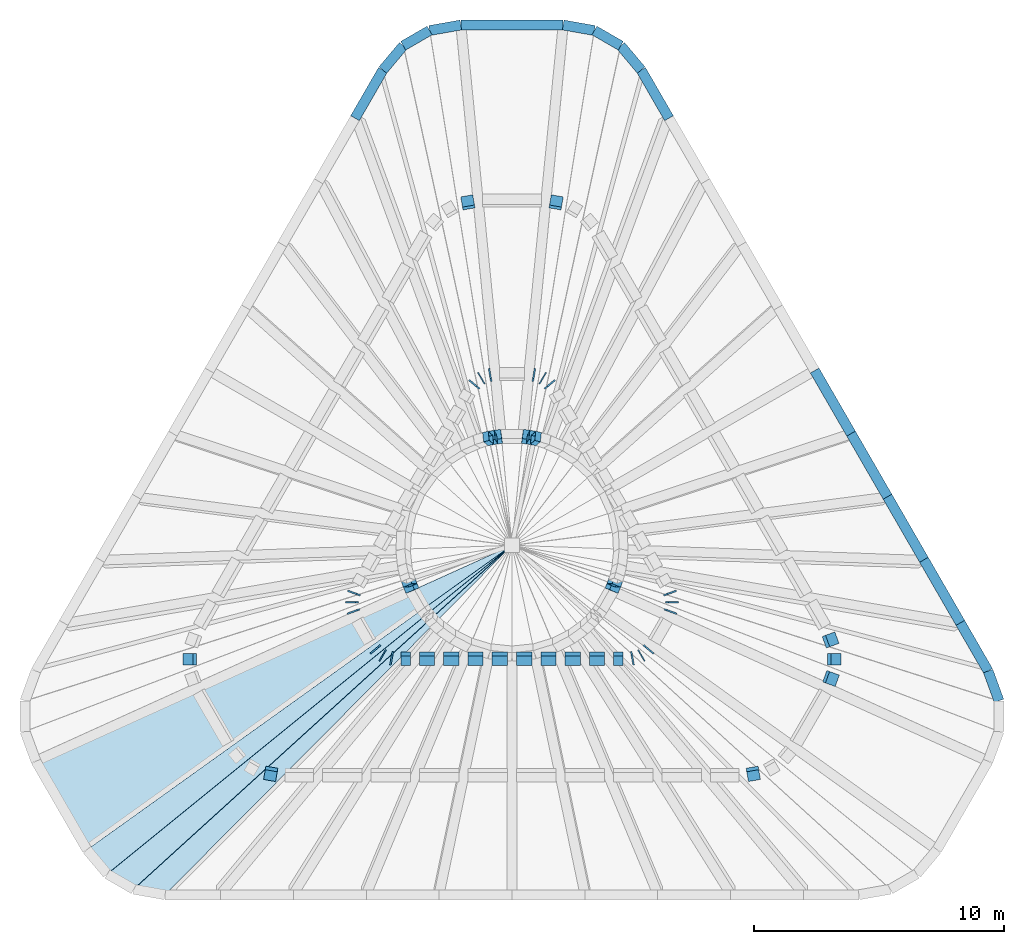
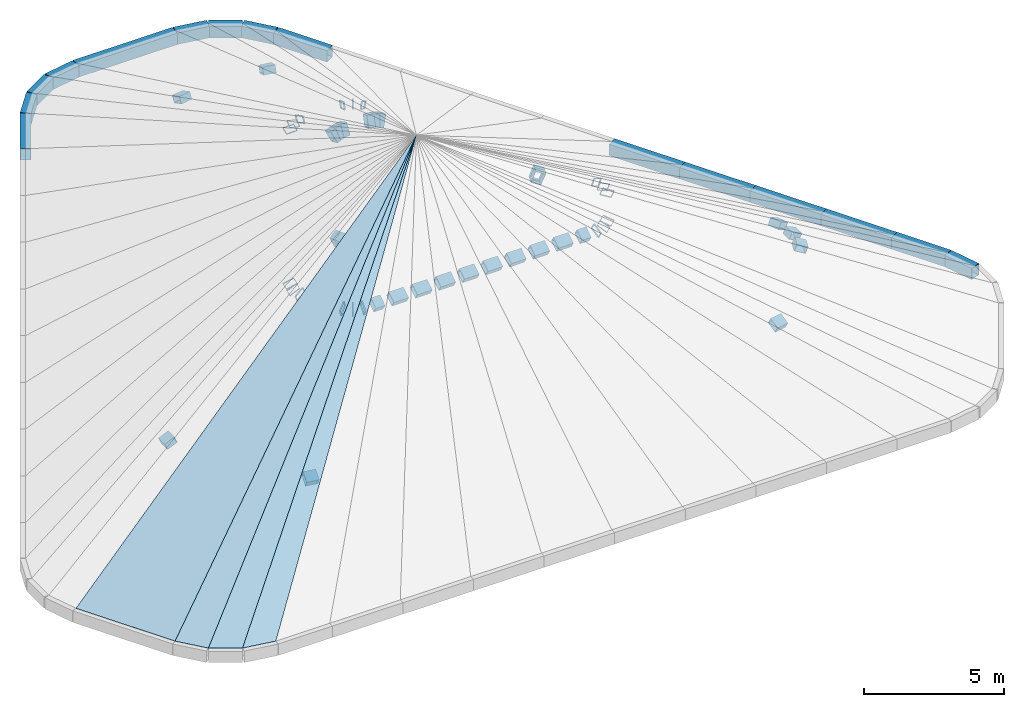
# One storey, part 4 of 5: 61 members, 4 plates.
"""IFC4 building model written with IfcOpenShell, lengths in metres."""

from ifc_helpers import new_model, si_unit, direction, frame, origin, origin_2d, place, context, subcontext, project, spatial, polyline, hollow_rectangle, outline, extrude, material, layer, layer_set, material_profile, profile_set, type_object, element, save


model = new_model("IFC4")

# Units and contexts
model_context = context("Model", 3, precision=1e-05, world=origin(), true_north=direction((0.0, 1.0)))
body_context = subcontext(model_context, "Body", "Model", "MODEL_VIEW")
ifc_project = project(units=[si_unit("LENGTHUNIT", "METRE"), si_unit("AREAUNIT", "SQUARE_METRE"), si_unit("VOLUMEUNIT", "CUBIC_METRE"), si_unit("PLANEANGLEUNIT", "RADIAN"), si_unit("MASSUNIT", "GRAM", prefix="KILO")], contexts=[model_context])

# Site, building, storey
site_placement = place(None, origin())
site = spatial("IfcSite", under=ifc_project, at=site_placement, CompositionType="ELEMENT")
building_placement = place(site_placement, origin())
building = spatial("IfcBuilding", under=site, at=building_placement, Name="Apuvela Tower Hotel", CompositionType="ELEMENT")
storey_placement = place(building_placement, frame((0.0, 0.0, 371.300048828125)))
storey = spatial("IfcBuildingStorey", under=building, at=storey_placement, Name="R-7 ROOF", CompositionType="ELEMENT", Elevation=371.300048828125)

# Members
ifc_material_1 = material(Name="Steel S355, dark grey paint system", Category="steel")
ifc_material_profile_1 = material_profile(ifc_material_1, hollow_rectangle(XDim=0.449951171875, YDim=0.300048828125, WallThickness=0.013916015625, at=origin_2d()), Name="HSS 450x300x14")
ifc_profile_set_1 = profile_set([ifc_material_profile_1], Name="Steel S355, dark grey paint system")
member_type_1 = type_object("IfcMemberType", Name="ENV-CROWN-PURLIN-450x300", PredefinedType="PURLIN", material=ifc_profile_set_1)
for number, where, z_axis, x_axis, name in (
    (1, (2.00390625, 13.670166015625, 2.960205078125), (-0.984829096706, 0.173527088031, 0.0), (-0.160002829347, -0.908074028583, 0.387040893465), "Crown frame purlin 1.2"),
    (2, (-1.52587890625, 13.75439453125, 2.960205078125), (-0.984829096706, -0.173527088031, 0.0), (0.160002829347, -0.908074028583, 0.387040893465), "Crown frame purlin 1.4"),
):
    element("IfcMember", number, at=place(storey_placement, frame(where, z_axis=z_axis, x_axis=x_axis)), inside=storey, type_object=member_type_1, Name=name, PredefinedType="PURLIN", context=body_context, shape_type="SweptSolid", body=[
        extrude(hollow_rectangle(XDim=0.449951171875, YDim=0.300048828125, WallThickness=0.013916015625, at=origin_2d()), origin(), (0.0, 0.0, 1.0), 0.4853515625),
    ])
member_1_placement = place(storey_placement, frame((-12.89208984375, -4.326904296875, 2.963134765625), z_axis=(0.0, -1.0, 0.0), x_axis=(0.91216518405, 0.0, 0.409822738519)))
element("IfcMember", 3, at=member_1_placement, inside=storey, type_object=member_type_1, Name="Crown frame purlin 1.18", PredefinedType="PURLIN", context=body_context, shape_type="SweptSolid", body=[
    extrude(hollow_rectangle(XDim=0.449951171875, YDim=0.300048828125, WallThickness=0.013916015625, at=origin_2d()), origin(), (0.0, 0.0, 1.0), 0.453125),
])
for number, where, z_axis, x_axis, name in (
    (4, (-9.8876953125, -9.0986328125, 2.972900390625), (0.98484423093, -0.1734411739, 0.0), (0.152547119745, 0.866202340811, 0.475839133564), "Crown frame purlin 1.23"),
    (5, (9.409423828125, -9.182861328125, 2.972900390625), (0.98484423093, 0.1734411739, 0.0), (-0.152547119745, 0.866202340811, 0.475839133564), "Crown frame purlin 1.34"),
    (6, (12.674560546875, -5.555908203125, 2.960205078125), (0.341904541509, 0.939734688354, 0.0), (-0.86649416341, 0.315257373525, 0.387040893465), "Crown frame purlin 1.38"),
):
    element("IfcMember", number, at=place(storey_placement, frame(where, z_axis=z_axis, x_axis=x_axis)), inside=storey, type_object=member_type_1, Name=name, PredefinedType="PURLIN", context=body_context, shape_type="SweptSolid", body=[
        extrude(hollow_rectangle(XDim=0.449951171875, YDim=0.300048828125, WallThickness=0.013916015625, at=origin_2d()), origin(), (0.0, 0.0, 1.0), 0.485595703125),
    ])
member_2_placement = place(storey_placement, frame((12.89208984375, -4.780029296875, 2.963134765625), z_axis=(0.0, 1.0, 0.0), x_axis=(-0.91216518405, 0.0, 0.409822738519)))
element("IfcMember", 7, at=member_2_placement, inside=storey, type_object=member_type_1, Name="Crown frame purlin 1.39", PredefinedType="PURLIN", context=body_context, shape_type="SweptSolid", body=[
    extrude(hollow_rectangle(XDim=0.449951171875, YDim=0.300048828125, WallThickness=0.013916015625, at=origin_2d()), origin(), (0.0, 0.0, 1.0), 0.453125),
])
member_3_placement = place(storey_placement, frame((12.823486328125, -4.013671875, 2.972900390625), z_axis=(-0.341904541509, 0.939734688354, 0.0), x_axis=(-0.826527039738, -0.300716097925, 0.475839133564)))
element("IfcMember", 8, at=member_3_placement, inside=storey, type_object=member_type_1, Name="Crown frame purlin 1.40", PredefinedType="PURLIN", context=body_context, shape_type="SweptSolid", body=[
    extrude(hollow_rectangle(XDim=0.449951171875, YDim=0.300048828125, WallThickness=0.013916015625, at=origin_2d()), origin(), (0.0, 0.0, 1.0), 0.485595703125),
])
member_4_placement = place(storey_placement, frame((1.24853515625, 6.669677734375, 5.8798828125), z_axis=(-0.865305848027, 0.501244241235, 0.0), x_axis=(-0.45721754556, -0.789301868125, 0.409822738519)))
element("IfcMember", 9, at=member_4_placement, inside=storey, type_object=member_type_1, Name="Crown frame purlin 2.1", PredefinedType="PURLIN", context=body_context, shape_type="SweptSolid", body=[
    extrude(hollow_rectangle(XDim=0.449951171875, YDim=0.300048828125, WallThickness=0.013916015625, at=origin_2d()), origin(), (0.0, 0.0, 1.0), 0.04638671875),
])
for number, where, z_axis, x_axis, name in (
    (10, (0.906005859375, 6.80810546875, 5.876953125), (-0.985325422959, 0.170686293741, 0.0), (-0.157383439319, -0.908531672433, 0.387040893465), "Crown frame purlin 2.2"),
    (11, (-0.843994140625, 6.81884765625, 5.876953125), (-0.985325422959, -0.170686293741, 0.0), (0.157383439319, -0.908531672433, 0.387040893465), "Crown frame purlin 2.4"),
):
    element("IfcMember", number, at=place(storey_placement, frame(where, z_axis=z_axis, x_axis=x_axis)), inside=storey, type_object=member_type_1, Name=name, PredefinedType="PURLIN", context=body_context, shape_type="SweptSolid", body=[
        extrude(hollow_rectangle(XDim=0.449951171875, YDim=0.300048828125, WallThickness=0.013916015625, at=origin_2d()), origin(), (0.0, 0.0, 1.0), 0.06298828125),
    ])
member_5_placement = place(storey_placement, frame((-1.20849609375, 6.69287109375, 5.8798828125), z_axis=(-0.865305848027, -0.501244241235, 0.0), x_axis=(0.45721754556, -0.789301868125, 0.409822738519)))
element("IfcMember", 12, at=member_5_placement, inside=storey, type_object=member_type_1, Name="Crown frame purlin 2.5", PredefinedType="PURLIN", context=body_context, shape_type="SweptSolid", body=[
    extrude(hollow_rectangle(XDim=0.449951171875, YDim=0.300048828125, WallThickness=0.013916015625, at=origin_2d()), origin(), (0.0, 0.0, 1.0), 0.04638671875),
])
member_6_placement = place(storey_placement, frame((-1.485595703125, 6.45361328125, 5.889404296875), z_axis=(-0.642096261797, -0.76662402166, 0.0), x_axis=(0.674270611767, -0.564744421023, 0.475839133564)))
element("IfcMember", 13, at=member_6_placement, inside=storey, type_object=member_type_1, Name="Crown frame purlin 2.6", PredefinedType="PURLIN", context=body_context, shape_type="SweptSolid", body=[
    extrude(hollow_rectangle(XDim=0.449951171875, YDim=0.300048828125, WallThickness=0.013916015625, at=origin_2d()), origin(), (0.0, 0.0, 1.0), 0.062744140625),
])
member_7_placement = place(storey_placement, frame((-6.310302734375, -1.881103515625, 5.889404296875), z_axis=(-0.341743063087, -0.939793423488, 0.0), x_axis=(0.826578699188, -0.300574072432, 0.475839133564)))
element("IfcMember", 14, at=member_7_placement, inside=storey, type_object=member_type_1, Name="Crown frame purlin 2.17", PredefinedType="PURLIN", context=body_context, shape_type="SweptSolid", body=[
    extrude(hollow_rectangle(XDim=0.449951171875, YDim=0.300048828125, WallThickness=0.013916015625, at=origin_2d()), origin(), (0.0, 0.0, 1.0), 0.06298828125),
])
member_8_placement = place(storey_placement, frame((-6.400390625, -2.25341796875, 5.8798828125), z_axis=(0.0, -1.0, 0.0), x_axis=(0.91216518405, 0.0, 0.409822738519)))
element("IfcMember", 15, at=member_8_placement, inside=storey, type_object=member_type_1, Name="Crown frame purlin 2.18", PredefinedType="PURLIN", context=body_context, shape_type="SweptSolid", body=[
    extrude(hollow_rectangle(XDim=0.449951171875, YDim=0.300048828125, WallThickness=0.013916015625, at=origin_2d()), origin(), (0.0, 0.0, 1.0), 0.046630859375),
])
member_9_placement = place(storey_placement, frame((-6.348876953125, -2.619384765625, 5.876953125), z_axis=(0.341743063087, -0.939793423488, 0.0), x_axis=(0.866548320878, 0.315108480319, 0.387040893465)))
element("IfcMember", 16, at=member_9_placement, inside=storey, type_object=member_type_1, Name="Crown frame purlin 2.19", PredefinedType="PURLIN", context=body_context, shape_type="SweptSolid", body=[
    extrude(hollow_rectangle(XDim=0.449951171875, YDim=0.300048828125, WallThickness=0.013916015625, at=origin_2d()), origin(), (0.0, 0.0, 1.0), 0.06298828125),
])
member_10_placement = place(storey_placement, frame((-5.4833984375, -4.140380859375, 5.876953125), z_axis=(0.642096261797, -0.76662402166, 0.0), x_axis=(0.706875300583, 0.592052916732, 0.387040893465)))
element("IfcMember", 17, at=member_10_placement, inside=storey, type_object=member_type_1, Name="Crown frame purlin 2.21", PredefinedType="PURLIN", context=body_context, shape_type="SweptSolid", body=[
    extrude(hollow_rectangle(XDim=0.449951171875, YDim=0.300048828125, WallThickness=0.013916015625, at=origin_2d()), origin(), (0.0, 0.0, 1.0), 0.062744140625),
])
member_11_placement = place(storey_placement, frame((-5.192138671875, -4.392822265625, 5.8798828125), z_axis=(0.864348337709, -0.502893578304, 0.0), x_axis=(0.458722013411, 0.78842846055, 0.409822738519)))
element("IfcMember", 18, at=member_11_placement, inside=storey, type_object=member_type_1, Name="Crown frame purlin 2.22", PredefinedType="PURLIN", context=body_context, shape_type="SweptSolid", body=[
    extrude(hollow_rectangle(XDim=0.449951171875, YDim=0.300048828125, WallThickness=0.013916015625, at=origin_2d()), origin(), (0.0, 0.0, 1.0), 0.046630859375),
])
member_12_placement = place(storey_placement, frame((-4.84619140625, -4.51318359375, 5.889404296875), z_axis=(0.984666255638, -0.174448746078, 0.0), x_axis=(0.153433312049, 0.866045805788, 0.475839133564)))
element("IfcMember", 19, at=member_12_placement, inside=storey, type_object=member_type_1, Name="Crown frame purlin 2.23", PredefinedType="PURLIN", context=body_context, shape_type="SweptSolid", body=[
    extrude(hollow_rectangle(XDim=0.449951171875, YDim=0.300048828125, WallThickness=0.013916015625, at=origin_2d()), origin(), (0.0, 0.0, 1.0), 0.06298828125),
])
member_13_placement = place(storey_placement, frame((-4.4453125, -4.543212890625, 5.898681640625), z_axis=(1.0, 0.0, 0.0), x_axis=(0.0, 0.847592740822, 0.53064728936)))
element("IfcMember", 20, at=member_13_placement, inside=storey, type_object=member_type_1, Name="Crown frame purlin 2.24", PredefinedType="PURLIN", context=body_context, shape_type="SweptSolid", body=[
    extrude(hollow_rectangle(XDim=0.449951171875, YDim=0.300048828125, WallThickness=0.013916015625, at=origin_2d()), origin(), (0.0, 0.0, 1.0), 0.38134765625),
])
member_14_placement = place(storey_placement, frame((-3.703857421875, -4.543212890625, 5.898681640625), z_axis=(1.0, 0.0, 0.0), x_axis=(0.0, 0.847592740822, 0.53064728936)))
element("IfcMember", 21, at=member_14_placement, inside=storey, type_object=member_type_1, Name="Crown frame purlin 2.25", PredefinedType="PURLIN", context=body_context, shape_type="SweptSolid", body=[
    extrude(hollow_rectangle(XDim=0.449951171875, YDim=0.300048828125, WallThickness=0.013916015625, at=origin_2d()), origin(), (0.0, 0.0, 1.0), 0.61083984375),
])
for number, where, z_axis, x_axis, name in (
    (22, (-2.73291015625, -4.543212890625, 5.898681640625), (1.0, 0.0, 0.0), (0.0, 0.847592740822, 0.53064728936), "Crown frame purlin 2.26"),
    (23, (-1.761962890625, -4.543212890625, 5.898681640625), (1.0, 0.0, 0.0), (0.0, 0.847592740822, 0.53064728936), "Crown frame purlin 2.27"),
    (24, (-0.791015625, -4.543212890625, 5.898681640625), (1.0, 0.0, 0.0), (0.0, 0.847592740822, 0.53064728936), "Crown frame purlin 2.28"),
    (25, (0.179931640625, -4.543212890625, 5.898681640625), (1.0, 0.0, 0.0), (0.0, 0.847592740822, 0.53064728936), "Crown frame purlin 2.29"),
    (26, (1.15087890625, -4.543212890625, 5.898681640625), (1.0, 0.0, 0.0), (0.0, 0.847592740822, 0.53064728936), "Crown frame purlin 2.30"),
    (27, (2.121826171875, -4.543212890625, 5.898681640625), (1.0, 0.0, 0.0), (0.0, 0.847592740822, 0.53064728936), "Crown frame purlin 2.31"),
):
    element("IfcMember", number, at=place(storey_placement, frame(where, z_axis=z_axis, x_axis=x_axis)), inside=storey, type_object=member_type_1, Name=name, PredefinedType="PURLIN", context=body_context, shape_type="SweptSolid", body=[
        extrude(hollow_rectangle(XDim=0.449951171875, YDim=0.300048828125, WallThickness=0.013916015625, at=origin_2d()), origin(), (0.0, 0.0, 1.0), 0.611083984375),
    ])
member_15_placement = place(storey_placement, frame((3.093017578125, -4.543212890625, 5.898681640625), z_axis=(1.0, 0.0, 0.0), x_axis=(0.0, 0.847592740822, 0.53064728936)))
element("IfcMember", 28, at=member_15_placement, inside=storey, type_object=member_type_1, Name="Crown frame purlin 2.32", PredefinedType="PURLIN", context=body_context, shape_type="SweptSolid", body=[
    extrude(hollow_rectangle(XDim=0.449951171875, YDim=0.300048828125, WallThickness=0.013916015625, at=origin_2d()), origin(), (0.0, 0.0, 1.0), 0.61083984375),
])
member_16_placement = place(storey_placement, frame((4.06396484375, -4.543212890625, 5.898681640625), z_axis=(1.0, 0.0, 0.0), x_axis=(0.0, 0.847592740822, 0.53064728936)))
element("IfcMember", 29, at=member_16_placement, inside=storey, type_object=member_type_1, Name="Crown frame purlin 2.33", PredefinedType="PURLIN", context=body_context, shape_type="SweptSolid", body=[
    extrude(hollow_rectangle(XDim=0.449951171875, YDim=0.300048828125, WallThickness=0.013916015625, at=origin_2d()), origin(), (0.0, 0.0, 1.0), 0.38134765625),
])
member_17_placement = place(storey_placement, frame((4.7841796875, -4.524169921875, 5.889404296875), z_axis=(0.984666255638, 0.174448746078, 0.0), x_axis=(-0.153433312049, 0.866045805788, 0.475839133564)))
element("IfcMember", 30, at=member_17_placement, inside=storey, type_object=member_type_1, Name="Crown frame purlin 2.34", PredefinedType="PURLIN", context=body_context, shape_type="SweptSolid", body=[
    extrude(hollow_rectangle(XDim=0.449951171875, YDim=0.300048828125, WallThickness=0.013916015625, at=origin_2d()), origin(), (0.0, 0.0, 1.0), 0.06298828125),
])
member_18_placement = place(storey_placement, frame((5.15185546875, -4.416259765625, 5.8798828125), z_axis=(0.864348337709, 0.502893578304, 0.0), x_axis=(-0.458722013411, 0.78842846055, 0.409822738519)))
element("IfcMember", 31, at=member_18_placement, inside=storey, type_object=member_type_1, Name="Crown frame purlin 2.35", PredefinedType="PURLIN", context=body_context, shape_type="SweptSolid", body=[
    extrude(hollow_rectangle(XDim=0.449951171875, YDim=0.300048828125, WallThickness=0.013916015625, at=origin_2d()), origin(), (0.0, 0.0, 1.0), 0.046630859375),
])
member_19_placement = place(storey_placement, frame((5.443115234375, -4.1884765625, 5.876953125), z_axis=(0.642096261797, 0.76662402166, 0.0), x_axis=(-0.706875300583, 0.592052916732, 0.387040893465)))
element("IfcMember", 32, at=member_19_placement, inside=storey, type_object=member_type_1, Name="Crown frame purlin 2.36", PredefinedType="PURLIN", context=body_context, shape_type="SweptSolid", body=[
    extrude(hollow_rectangle(XDim=0.449951171875, YDim=0.300048828125, WallThickness=0.013916015625, at=origin_2d()), origin(), (0.0, 0.0, 1.0), 0.062744140625),
])
member_20_placement = place(storey_placement, frame((6.327392578125, -2.678466796875, 5.876953125), z_axis=(0.341743063087, 0.939793423488, 0.0), x_axis=(-0.866548320878, 0.315108480319, 0.387040893465)))
element("IfcMember", 33, at=member_20_placement, inside=storey, type_object=member_type_1, Name="Crown frame purlin 2.38", PredefinedType="PURLIN", context=body_context, shape_type="SweptSolid", body=[
    extrude(hollow_rectangle(XDim=0.449951171875, YDim=0.300048828125, WallThickness=0.013916015625, at=origin_2d()), origin(), (0.0, 0.0, 1.0), 0.06298828125),
])
member_21_placement = place(storey_placement, frame((6.400390625, -2.300048828125, 5.8798828125), z_axis=(0.0, 1.0, 0.0), x_axis=(-0.91216518405, 0.0, 0.409822738519)))
element("IfcMember", 34, at=member_21_placement, inside=storey, type_object=member_type_1, Name="Crown frame purlin 2.39", PredefinedType="PURLIN", context=body_context, shape_type="SweptSolid", body=[
    extrude(hollow_rectangle(XDim=0.449951171875, YDim=0.300048828125, WallThickness=0.013916015625, at=origin_2d()), origin(), (0.0, 0.0, 1.0), 0.046630859375),
])
member_22_placement = place(storey_placement, frame((6.331787109375, -1.940185546875, 5.889404296875), z_axis=(-0.341743063087, 0.939793423488, 0.0), x_axis=(-0.826578699188, -0.300574072432, 0.475839133564)))
element("IfcMember", 35, at=member_22_placement, inside=storey, type_object=member_type_1, Name="Crown frame purlin 2.40", PredefinedType="PURLIN", context=body_context, shape_type="SweptSolid", body=[
    extrude(hollow_rectangle(XDim=0.449951171875, YDim=0.300048828125, WallThickness=0.013916015625, at=origin_2d()), origin(), (0.0, 0.0, 1.0), 0.06298828125),
])
member_23_placement = place(storey_placement, frame((1.52587890625, 6.405517578125, 5.889404296875), z_axis=(-0.642096261797, 0.76662402166, 0.0), x_axis=(-0.674270611767, -0.564744421023, 0.475839133564)))
element("IfcMember", 36, at=member_23_placement, inside=storey, type_object=member_type_1, Name="Crown frame purlin 2.51", PredefinedType="PURLIN", context=body_context, shape_type="SweptSolid", body=[
    extrude(hollow_rectangle(XDim=0.449951171875, YDim=0.300048828125, WallThickness=0.013916015625, at=origin_2d()), origin(), (0.0, 0.0, 1.0), 0.062744140625),
])
ifc_material_2 = material(Name="Steel S355, black paint system", Category="steel")
ifc_material_profile_2 = material_profile(ifc_material_2, hollow_rectangle(XDim=0.39990234375, YDim=0.5, WallThickness=0.01611328125, at=origin_2d()), Name="HSS 500x400x16")
ifc_profile_set_2 = profile_set([ifc_material_profile_2], Name="Steel S355, black paint system")
member_type_2 = type_object("IfcMemberType", Name="ENV-CROWN-RING-500x400", PredefinedType="STRINGER", material=ifc_profile_set_2)
member_24_placement = place(storey_placement, frame((4.3505859375, 19.976318359375, 0.0), z_axis=(-0.865992225662, 0.50005746179, 0.0), x_axis=(-0.50005746179, -0.865992225662, 0.0)))
element("IfcMember", 37, at=member_24_placement, inside=storey, type_object=member_type_2, Name="Crown frame ring beam 7.1", PredefinedType="STRINGER", context=body_context, shape_type="SweptSolid", body=[
    extrude(hollow_rectangle(XDim=0.39990234375, YDim=0.5, WallThickness=0.01611328125, at=origin_2d()), origin(), (0.0, 0.0, 1.0), 1.219482421875),
])
member_25_placement = place(storey_placement, frame((3.29443359375, 20.586181640625, 0.0), z_axis=(-0.984810677158, 0.173631593197, 0.0), x_axis=(-0.173631593197, -0.984810677158, 0.0)))
element("IfcMember", 38, at=member_25_placement, inside=storey, type_object=member_type_2, Name="Crown frame ring beam 7.2", PredefinedType="STRINGER", context=body_context, shape_type="SweptSolid", body=[
    extrude(hollow_rectangle(XDim=0.39990234375, YDim=0.5, WallThickness=0.01611328125, at=origin_2d()), origin(), (0.0, 0.0, 1.0), 1.268310546875),
])
member_26_placement = place(storey_placement, frame((2.04541015625, 20.806396484375, 0.0), z_axis=(-1.0, 0.0, 0.0), x_axis=(0.0, -1.0, 0.0)))
element("IfcMember", 39, at=member_26_placement, inside=storey, type_object=member_type_2, Name="Crown frame ring beam 7.3", PredefinedType="STRINGER", context=body_context, shape_type="SweptSolid", body=[
    extrude(hollow_rectangle(XDim=0.39990234375, YDim=0.5, WallThickness=0.01611328125, at=origin_2d()), origin(), (0.0, 0.0, 1.0), 4.0908203125),
])
member_27_placement = place(storey_placement, frame((-2.04541015625, 20.806396484375, 0.0), z_axis=(-0.984810677158, -0.173631593197, 0.0), x_axis=(0.173631593197, -0.984810677158, 0.0)))
element("IfcMember", 40, at=member_27_placement, inside=storey, type_object=member_type_2, Name="Crown frame ring beam 7.4", PredefinedType="STRINGER", context=body_context, shape_type="SweptSolid", body=[
    extrude(hollow_rectangle(XDim=0.39990234375, YDim=0.5, WallThickness=0.01611328125, at=origin_2d()), origin(), (0.0, 0.0, 1.0), 1.268310546875),
])
member_28_placement = place(storey_placement, frame((-3.29443359375, 20.586181640625, 0.0), z_axis=(-0.865992225662, -0.50005746179, 0.0), x_axis=(0.50005746179, -0.865992225662, 0.0)))
element("IfcMember", 41, at=member_28_placement, inside=storey, type_object=member_type_2, Name="Crown frame ring beam 7.5", PredefinedType="STRINGER", context=body_context, shape_type="SweptSolid", body=[
    extrude(hollow_rectangle(XDim=0.39990234375, YDim=0.5, WallThickness=0.01611328125, at=origin_2d()), origin(), (0.0, 0.0, 1.0), 1.219482421875),
])
member_29_placement = place(storey_placement, frame((-4.3505859375, 19.976318359375, 0.0), z_axis=(-0.642830918567, -0.766008100567, 0.0), x_axis=(0.766008100567, -0.642830918567, 0.0)))
element("IfcMember", 42, at=member_29_placement, inside=storey, type_object=member_type_2, Name="Crown frame ring beam 7.6", PredefinedType="STRINGER", context=body_context, shape_type="SweptSolid", body=[
    extrude(hollow_rectangle(XDim=0.39990234375, YDim=0.5, WallThickness=0.01611328125, at=origin_2d()), origin(), (0.0, 0.0, 1.0), 1.2685546875),
])
member_30_placement = place(storey_placement, frame((-5.166015625, 19.004638671875, 0.0), z_axis=(-0.499941024108, -0.866059450854, 0.0), x_axis=(0.866059450854, -0.499941024108, 0.0)))
element("IfcMember", 43, at=member_30_placement, inside=storey, type_object=member_type_2, Name="Crown frame ring beam 7.7", PredefinedType="STRINGER", context=body_context, shape_type="SweptSolid", body=[
    extrude(hollow_rectangle(XDim=0.39990234375, YDim=0.5, WallThickness=0.01611328125, at=origin_2d()), origin(), (0.0, 0.0, 1.0), 2.223876953125),
])
member_31_placement = place(storey_placement, frame((19.475341796875, -6.220458984375, 0.0), z_axis=(-0.34203668354, 0.939686600475, 0.0), x_axis=(-0.939686600475, -0.34203668354, 0.0)))
element("IfcMember", 44, at=member_31_placement, inside=storey, type_object=member_type_2, Name="Crown frame ring beam 7.40", PredefinedType="STRINGER", context=body_context, shape_type="SweptSolid", body=[
    extrude(hollow_rectangle(XDim=0.39990234375, YDim=0.5, WallThickness=0.01611328125, at=origin_2d()), origin(), (0.0, 0.0, 1.0), 1.268310546875),
])
member_32_placement = place(storey_placement, frame((19.04150390625, -5.028564453125, 0.0), z_axis=(-0.500023359282, 0.866011916877, 0.0), x_axis=(-0.866011916877, -0.500023359282, 0.0)))
element("IfcMember", 45, at=member_32_placement, inside=storey, type_object=member_type_2, Name="Crown frame ring beam 7.41", PredefinedType="STRINGER", context=body_context, shape_type="SweptSolid", body=[
    extrude(hollow_rectangle(XDim=0.39990234375, YDim=0.5, WallThickness=0.01611328125, at=origin_2d()), origin(), (0.0, 0.0, 1.0), 2.22412109375),
])
member_33_placement = place(storey_placement, frame((17.929443359375, -3.1025390625, 0.0), z_axis=(-0.499952204256, 0.866052996912, 0.0), x_axis=(-0.866052996912, -0.499952204256, 0.0)))
element("IfcMember", 46, at=member_33_placement, inside=storey, type_object=member_type_2, Name="Crown frame ring beam 7.42", PredefinedType="STRINGER", context=body_context, shape_type="SweptSolid", body=[
    extrude(hollow_rectangle(XDim=0.39990234375, YDim=0.5, WallThickness=0.01611328125, at=origin_2d()), origin(), (0.0, 0.0, 1.0), 2.912841796875),
])
member_34_placement = place(storey_placement, frame((16.47314453125, -0.579833984375, 0.0), z_axis=(-0.500015065024, 0.866016705814, 0.0), x_axis=(-0.866016705814, -0.500015065024, 0.0)))
element("IfcMember", 47, at=member_34_placement, inside=storey, type_object=member_type_2, Name="Crown frame ring beam 7.43", PredefinedType="STRINGER", context=body_context, shape_type="SweptSolid", body=[
    extrude(hollow_rectangle(XDim=0.39990234375, YDim=0.5, WallThickness=0.01611328125, at=origin_2d()), origin(), (0.0, 0.0, 1.0), 2.9130859375),
])
member_35_placement = place(storey_placement, frame((15.0166015625, 1.94287109375, 0.0), z_axis=(-0.499988496788, 0.866032045065, 0.0), x_axis=(-0.866032045065, -0.499988496788, 0.0)))
element("IfcMember", 48, at=member_35_placement, inside=storey, type_object=member_type_2, Name="Crown frame ring beam 7.44", PredefinedType="STRINGER", context=body_context, shape_type="SweptSolid", body=[
    extrude(hollow_rectangle(XDim=0.39990234375, YDim=0.5, WallThickness=0.01611328125, at=origin_2d()), origin(), (0.0, 0.0, 1.0), 2.91259765625),
])
member_36_placement = place(storey_placement, frame((13.560302734375, 4.46533203125, 0.0), z_axis=(-0.500015065024, 0.866016705814, 0.0), x_axis=(-0.866016705814, -0.500015065024, 0.0)))
element("IfcMember", 49, at=member_36_placement, inside=storey, type_object=member_type_2, Name="Crown frame ring beam 7.45", PredefinedType="STRINGER", context=body_context, shape_type="SweptSolid", body=[
    extrude(hollow_rectangle(XDim=0.39990234375, YDim=0.5, WallThickness=0.01611328125, at=origin_2d()), origin(), (0.0, 0.0, 1.0), 2.9130859375),
])
member_37_placement = place(storey_placement, frame((6.27783203125, 17.07861328125, 0.0), z_axis=(-0.499941024108, 0.866059450854, 0.0), x_axis=(-0.866059450854, -0.499941024108, 0.0)))
element("IfcMember", 50, at=member_37_placement, inside=storey, type_object=member_type_2, Name="Crown frame ring beam 7.50", PredefinedType="STRINGER", context=body_context, shape_type="SweptSolid", body=[
    extrude(hollow_rectangle(XDim=0.39990234375, YDim=0.5, WallThickness=0.01611328125, at=origin_2d()), origin(), (0.0, 0.0, 1.0), 2.223876953125),
])
member_38_placement = place(storey_placement, frame((5.166015625, 19.004638671875, 0.0), z_axis=(-0.642830918567, 0.766008100567, 0.0), x_axis=(-0.766008100567, -0.642830918567, 0.0)))
element("IfcMember", 51, at=member_38_placement, inside=storey, type_object=member_type_2, Name="Crown frame ring beam 7.51", PredefinedType="STRINGER", context=body_context, shape_type="SweptSolid", body=[
    extrude(hollow_rectangle(XDim=0.39990234375, YDim=0.5, WallThickness=0.01611328125, at=origin_2d()), origin(), (0.0, 0.0, 1.0), 1.2685546875),
])
member_39_placement = place(storey_placement, frame((0.891357421875, 4.2822265625, 6.779541015625), z_axis=(-0.971961529163, 0.18398875329, 0.146420369111), x_axis=(-0.115876705101, -0.916619819266, 0.382597302845)))
element("IfcMember", 52, at=member_39_placement, inside=storey, type_object=member_type_2, Name="Crown apex ring beam 1", PredefinedType="STRINGER", context=body_context, shape_type="SweptSolid", body=[
    extrude(hollow_rectangle(XDim=0.39990234375, YDim=0.5, WallThickness=0.01611328125, at=origin_2d()), origin(), (0.0, 0.0, 1.0), 0.25341796875),
])
for number, where, z_axis, x_axis, name in (
    (53, (0.689208984375, 4.320068359375, 6.812744140625), (-0.991596943399, 0.127861463396, 0.019670994369), (-0.110398379504, -0.915636061967, 0.386552454174), "Crown apex ring beam 2"),
    (54, (-0.41845703125, 4.35498046875, 6.818115234375), (-0.991596943399, -0.127861463396, -0.019670994369), (0.110398379504, -0.915636061967, 0.386552454174), "Crown apex ring beam 4"),
):
    element("IfcMember", number, at=place(storey_placement, frame(where, z_axis=z_axis, x_axis=x_axis)), inside=storey, type_object=member_type_2, Name=name, PredefinedType="STRINGER", context=body_context, shape_type="SweptSolid", body=[
        extrude(hollow_rectangle(XDim=0.39990234375, YDim=0.5, WallThickness=0.01611328125, at=origin_2d()), origin(), (0.0, 0.0, 1.0), 0.27294921875),
    ])
member_40_placement = place(storey_placement, frame((-0.64501953125, 4.328857421875, 6.816650390625), z_axis=(-0.971961529163, -0.18398875329, -0.146420369111), x_axis=(0.115876705101, -0.916619819266, 0.382597302845)))
element("IfcMember", 55, at=member_40_placement, inside=storey, type_object=member_type_2, Name="Crown apex ring beam 5", PredefinedType="STRINGER", context=body_context, shape_type="SweptSolid", body=[
    extrude(hollow_rectangle(XDim=0.39990234375, YDim=0.5, WallThickness=0.01611328125, at=origin_2d()), origin(), (0.0, 0.0, 1.0), 0.25341796875),
])
member_41_placement = place(storey_placement, frame((-0.8408203125, 4.298828125, 6.792236328125), z_axis=(-0.925153545621, -0.22596850019, -0.305006809673), x_axis=(0.105415525044, -0.924847613269, 0.365437353468)))
element("IfcMember", 56, at=member_41_placement, inside=storey, type_object=member_type_2, Name="Crown apex ring beam 6", PredefinedType="STRINGER", context=body_context, shape_type="SweptSolid", body=[
    extrude(hollow_rectangle(XDim=0.39990234375, YDim=0.5, WallThickness=0.01611328125, at=origin_2d()), origin(), (0.0, 0.0, 1.0), 0.240966796875),
])
member_42_placement = place(storey_placement, frame((-4.154296875, -1.369140625, 6.779541015625), z_axis=(0.327225149318, -0.933554102467, 0.146288890284), x_axis=(0.85154988146, 0.358435972453, 0.382604826207)))
element("IfcMember", 57, at=member_42_placement, inside=storey, type_object=member_type_2, Name="Crown apex ring beam 18", PredefinedType="STRINGER", context=body_context, shape_type="SweptSolid", body=[
    extrude(hollow_rectangle(XDim=0.39990234375, YDim=0.5, WallThickness=0.01611328125, at=origin_2d()), origin(), (0.0, 0.0, 1.0), 0.253662109375),
])
for number, where, z_axis, x_axis, name in (
    (58, (-4.0859375, -1.56298828125, 6.812744140625), (0.384985045155, -0.922713576902, 0.019651208801), (0.848198529972, 0.362127515701, 0.386552604604), "Crown apex ring beam 19"),
    (59, (3.980712890625, -1.815185546875, 6.818115234375), (0.384985045155, 0.922713576902, -0.019651208801), (-0.848198529972, 0.362127515701, 0.386552604604), "Crown apex ring beam 38"),
):
    element("IfcMember", number, at=place(storey_placement, frame(where, z_axis=z_axis, x_axis=x_axis)), inside=storey, type_object=member_type_2, Name=name, PredefinedType="STRINGER", context=body_context, shape_type="SweptSolid", body=[
        extrude(hollow_rectangle(XDim=0.39990234375, YDim=0.5, WallThickness=0.01611328125, at=origin_2d()), origin(), (0.0, 0.0, 1.0), 0.2734375),
    ])
member_43_placement = place(storey_placement, frame((4.0712890625, -1.60595703125, 6.816650390625), z_axis=(0.327225149318, 0.933554102467, -0.146288890284), x_axis=(-0.85154988146, 0.358435972453, 0.382604826207)))
element("IfcMember", 60, at=member_43_placement, inside=storey, type_object=member_type_2, Name="Crown apex ring beam 39", PredefinedType="STRINGER", context=body_context, shape_type="SweptSolid", body=[
    extrude(hollow_rectangle(XDim=0.39990234375, YDim=0.5, WallThickness=0.01611328125, at=origin_2d()), origin(), (0.0, 0.0, 1.0), 0.253662109375),
])
member_44_placement = place(storey_placement, frame((1.063720703125, 4.244384765625, 6.71875), z_axis=(-0.925153545621, 0.22596850019, 0.305006809673), x_axis=(-0.105415525044, -0.924847613269, 0.365437353468)))
element("IfcMember", 61, at=member_44_placement, inside=storey, type_object=member_type_2, Name="Crown apex ring beam 51", PredefinedType="STRINGER", context=body_context, shape_type="SweptSolid", body=[
    extrude(hollow_rectangle(XDim=0.39990234375, YDim=0.5, WallThickness=0.01611328125, at=origin_2d()), origin(), (0.0, 0.0, 1.0), 0.240966796875),
])

# Plates
ifc_material_3 = material(Name="Glass, low-iron laminated insulated glazing unit, ceramic fritted", Category="glass")
ifc_layer = layer(ifc_material_3, 0.050048828125)
ifc_layer_set = layer_set([ifc_layer], Name="ENV-ROOF-GLAZING-50")
plate_type = type_object("IfcPlateType", Name="ENV-ROOF-GLAZING-50", PredefinedType="SHEET", material=ifc_layer_set)
plate_1_placement = place(storey_placement, frame((-19.04150390625, -8.6318359375, 0.25), z_axis=(-0.33572223807, -0.193830949662, 0.921802658826), x_axis=(0.500003144135, -0.86602358851, 0.0)))
element("IfcPlate", 62, at=plate_1_placement, inside=storey, type_object=plate_type, Name="Crown roof glazing 20", PredefinedType="SHEET", context=body_context, shape_type="SweptSolid", body=[
    extrude(outline(polyline([(0.0, 0.0), (4.090794588483012, 0.0), (2.045438288152214, 22.57135673531858), (0.0, 0.0)])), origin(), (0.0, 0.0, -1.0), 0.050048828125),
])
plate_2_placement = place(storey_placement, frame((-16.99609375, -12.174560546875, 0.25), z_axis=(-0.29651192861, -0.248757117997, 0.92206321499), x_axis=(0.642717965607, -0.766102876046, 0.0)))
element("IfcPlate", 63, at=plate_2_placement, inside=storey, type_object=plate_type, Name="Crown roof glazing 21", PredefinedType="SHEET", context=body_context, shape_type="SweptSolid", body=[
    extrude(outline(polyline([(0.0, 0.0), (1.2683409994689878, 0.0), (1.5967289487157408, 22.607522728787593), (0.0, 0.0)])), origin(), (0.0, 0.0, -1.0), 0.050048828125),
])
plate_3_placement = place(storey_placement, frame((-16.180908203125, -13.146240234375, 0.25), z_axis=(-0.204879723323, -0.354949813014, 0.91215948672), x_axis=(0.866078909804, -0.499907313403, 0.0)))
element("IfcPlate", 64, at=plate_3_placement, inside=storey, type_object=plate_type, Name="Crown roof glazing 22", PredefinedType="SHEET", context=body_context, shape_type="SweptSolid", body=[
    extrude(outline(polyline([(0.0, 0.0), (1.2194643372501641, -5.551115123125783e-17), (7.442041699283293, 21.35003367500826), (0.0, 0.0)])), origin(), (0.0, 0.0, -1.0), 0.050048828125),
])
plate_4_placement = place(storey_placement, frame((-15.124755859375, -13.755859375, 0.25), z_axis=(-0.082687276301, -0.468561232373, 0.879552832896), x_axis=(0.984783558818, -0.173785333909, 0.0)))
element("IfcPlate", 65, at=plate_4_placement, inside=storey, type_object=plate_type, Name="Crown roof glazing 23", PredefinedType="SHEET", context=body_context, shape_type="SweptSolid", body=[
    extrude(outline(polyline([(0.0, 0.0), (1.2685707097146615, 2.7755575615628914e-17), (12.504044286757477, 18.39003217575438), (0.0, 0.0)])), origin(), (0.0, 0.0, -1.0), 0.050048828125),
])

save(model, "model.ifc")
